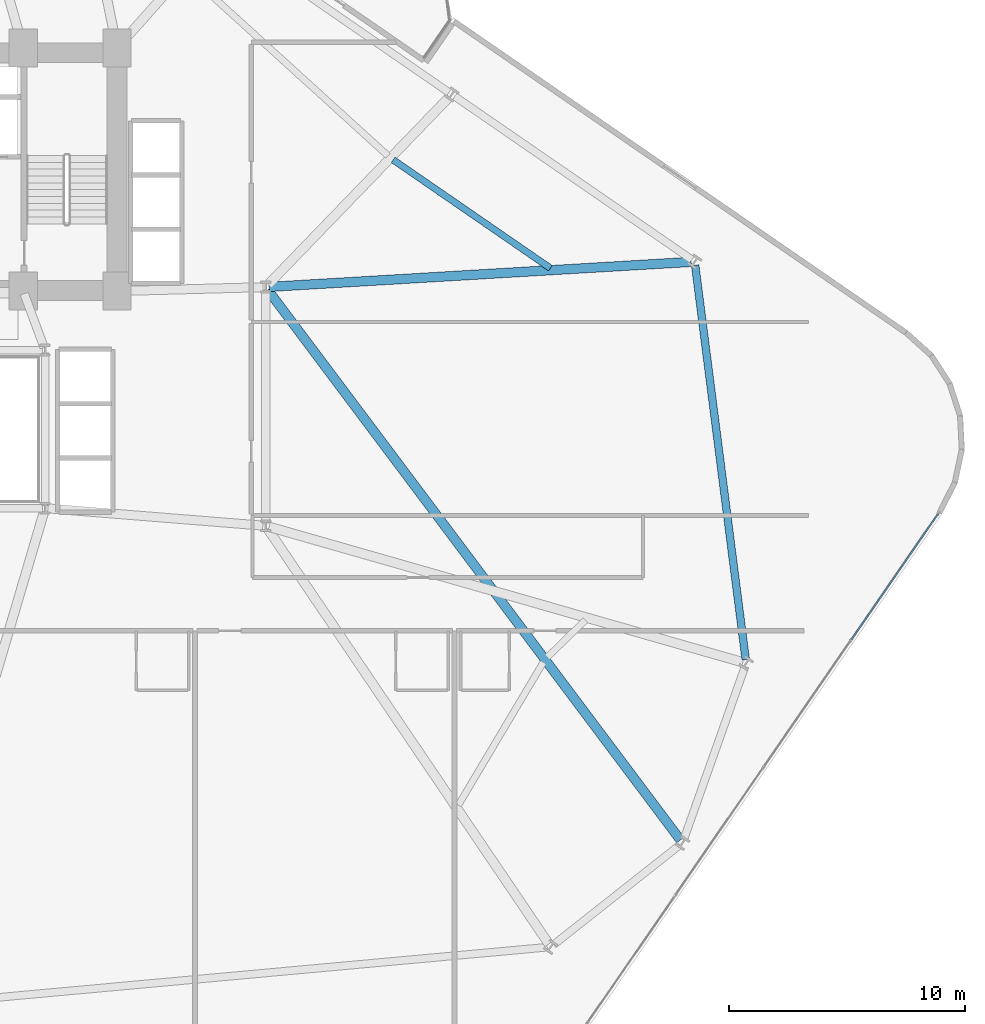
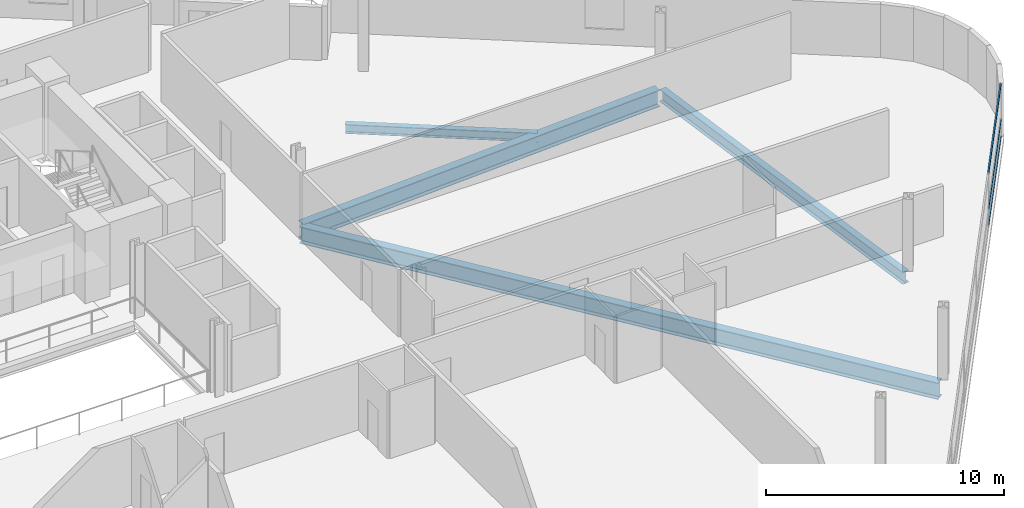
# One storey, part 12 of 26: 4 beams, 3 members, 1 element without a shape of its own.
"""IFC4 building model written with IfcOpenShell, lengths in metres."""

import ifcopenshell
import ifcopenshell.guid

model = None  # the IFC model being written
_history = None  # IfcOwnerHistory: only IFC2X3 demands one
_inside = {}  # id of a spatial element -> (the spatial element, [elements in it])
_under = {}  # id of a project, library or spatial element -> (it, [spatial elements below it])
_declared = {}  # id of a project -> (the project, [libraries it declares])
_typed = {}  # id of a type object -> (the type object, [elements of that type])
_made_of = {}  # id of a material, layer set ... -> (it, [elements and type objects made of it])


def new_model(schema):
    """Start an empty IFC model of exactly this schema.

    Asked for "IFC4X3", IfcOpenShell would pick the latest addendum, in which some entities
    have other attributes; the version numbers below select the first issue.
    IFC2X3 requires an IfcOwnerHistory on every rooted entity: one is made here for all.
    """
    global model, _history
    if schema == "IFC4X3":
        model = ifcopenshell.file(schema_version=(4, 3, 0, 0))
    else:
        model = ifcopenshell.file(schema=schema)
    _inside.clear()
    _under.clear()
    _declared.clear()
    _typed.clear()
    _made_of.clear()
    _history = None
    if model.schema == "IFC2X3":
        org = make("IfcOrganization", Name="unknown")
        user = make(
            "IfcPersonAndOrganization",
            ThePerson=make("IfcPerson", FamilyName="unknown"),
            TheOrganization=org,
        )
        app = make(
            "IfcApplication",
            ApplicationDeveloper=org,
            Version="unknown",
            ApplicationFullName="unknown",
            ApplicationIdentifier="unknown",
        )
        _history = make(
            "IfcOwnerHistory",
            OwningUser=user,
            OwningApplication=app,
            ChangeAction="ADDED",
            CreationDate=0,
        )
    return model


def make(cls, **values):
    """One entity of the class cls with the attributes given. An attribute that is None is left unset."""
    return model.create_entity(
        cls, **{name: value for name, value in values.items() if value is not None}
    )


def rooted(cls, **values):
    """An entity with a GlobalId (a new one), such as an element, a storey or a relation."""
    return make(cls, GlobalId=ifcopenshell.guid.new(), OwnerHistory=_history, **values)


def si_unit(unit_type, name, prefix=None):
    """IfcSIUnit, for example si_unit("LENGTHUNIT", "METRE", prefix="MILLI")."""
    return make("IfcSIUnit", UnitType=unit_type, Prefix=prefix, Name=name)


def assignment(units):
    """IfcUnitAssignment: the units of a project."""
    return None if units is None else make("IfcUnitAssignment", Units=units)


def point(xyz):
    """IfcCartesianPoint."""
    return None if xyz is None else make("IfcCartesianPoint", Coordinates=xyz)


def direction(xyz):
    """IfcDirection."""
    return None if xyz is None else make("IfcDirection", DirectionRatios=xyz)


def frame(location, z_axis=None, x_axis=None):
    """IfcAxis2Placement3D, a coordinate frame: its origin and axes. An axis left out is left unset."""
    return make(
        "IfcAxis2Placement3D",
        Location=point(location),
        Axis=direction(z_axis),
        RefDirection=direction(x_axis),
    )


def frame_2d(location, x_axis=None):
    """IfcAxis2Placement2D, a coordinate frame in the plane: its origin and x axis."""
    return make(
        "IfcAxis2Placement2D", Location=point(location), RefDirection=direction(x_axis)
    )


def origin():
    """The frame at (0, 0, 0) with its axes left unset."""
    return frame((0.0, 0.0, 0.0))


def origin_2d():
    """The frame at (0, 0) in the plane with its x axis left unset."""
    return frame_2d((0.0, 0.0))


def place(relative_to, where):
    """IfcLocalPlacement: puts the frame where relative to a parent placement (None: the world)."""
    return make(
        "IfcLocalPlacement", PlacementRelTo=relative_to, RelativePlacement=where
    )


def context(
    kind, dimensions, precision=None, world=None, true_north=None, identifier=None
):
    """IfcGeometricRepresentationContext, for example the 3D "Model" context."""
    return make(
        "IfcGeometricRepresentationContext",
        ContextIdentifier=identifier,
        ContextType=kind,
        CoordinateSpaceDimension=dimensions,
        Precision=precision,
        WorldCoordinateSystem=world,
        TrueNorth=true_north,
    )


def subcontext(parent, identifier, kind, view, scale=None):
    """IfcGeometricRepresentationSubContext, for example "Body" below "Model"."""
    return make(
        "IfcGeometricRepresentationSubContext",
        ContextIdentifier=identifier,
        ContextType=kind,
        ParentContext=parent,
        TargetScale=scale,
        TargetView=view,
    )


def project(units=None, contexts=None):
    """IfcProject with its units and contexts."""
    return rooted(
        "IfcProject",
        Name="project",
        RepresentationContexts=contexts,
        UnitsInContext=assignment(units),
    )


def spatial(cls, under=None, at=None, **own):
    """A site, building, storey or space (cls), placed at a placement, below another one or the project."""
    s = rooted(cls, ObjectPlacement=at, **own)
    if under is not None:
        _under.setdefault(under.id(), (under, []))[1].append(s)
    return s


def profile(cls, at=None, kind="AREA", **sizes):
    """A parametric profile (cls). Its sizes go by their IFC names, for example OverallWidth=200.0."""
    return make(cls, ProfileType=kind, Position=at, **sizes)


def hollow_rectangle(**sizes):
    """IfcRectangleHollowProfileDef."""
    return profile("IfcRectangleHollowProfileDef", **sizes)


def i_section(**sizes):
    """IfcIShapeProfileDef."""
    return profile("IfcIShapeProfileDef", **sizes)


def extrude(swept, where, along, depth):
    """IfcExtrudedAreaSolid: the profile swept, set in the frame where, extruded along a direction by depth."""
    return make(
        "IfcExtrudedAreaSolid",
        SweptArea=swept,
        Position=where,
        ExtrudedDirection=direction(along),
        Depth=depth,
    )


def shape(context_of_items, identifier, shape_type, items):
    """IfcShapeRepresentation: the items that make up one representation, for example the "Body"."""
    return make(
        "IfcShapeRepresentation",
        ContextOfItems=context_of_items,
        RepresentationIdentifier=identifier,
        RepresentationType=shape_type,
        Items=items,
    )


def material(Name=None, Category=None):
    """IfcMaterial."""
    return make("IfcMaterial", Name=Name, Category=Category)


def layer(
    of_material, thickness, ventilated=None, Name=None, Category=None, Priority=None
):
    """IfcMaterialLayer: one layer of a wall or slab, of a material (None: an air gap)."""
    return make(
        "IfcMaterialLayer",
        Material=of_material,
        LayerThickness=thickness,
        IsVentilated=ventilated,
        Name=Name,
        Category=Category,
        Priority=Priority,
    )


def layer_set(layers, Name=None):
    """IfcMaterialLayerSet."""
    return make("IfcMaterialLayerSet", MaterialLayers=layers, LayerSetName=Name)


def material_profile(
    of_material, cross_section, Name=None, Category=None, Priority=None
):
    """IfcMaterialProfile: a cross section and its material."""
    return make(
        "IfcMaterialProfile",
        Name=Name,
        Material=of_material,
        Profile=cross_section,
        Priority=Priority,
        Category=Category,
    )


def profile_set(profiles, Name=None, composite=None):
    """IfcMaterialProfileSet."""
    return make(
        "IfcMaterialProfileSet",
        Name=Name,
        MaterialProfiles=profiles,
        CompositeProfile=composite,
    )


def made_of(thing, what):
    """Note that an element or type object is made of a material, layer set ...; save() writes the relation."""
    if what is not None:
        _made_of.setdefault(what.id(), (what, []))[1].append(thing)
    return thing


def type_object(cls, material=None, **own):
    """A type object (cls), such as IfcWallType, which elements share."""
    return made_of(rooted(cls, **own), material)


def element(
    cls,
    number,
    at=None,
    inside=None,
    cuts=None,
    type_object=None,
    material=None,
    context=None,
    identifier="Body",
    shape_type=None,
    held_by="IfcProductDefinitionShape",
    body=None,
    shapes=None,
    **own,
):
    """One element of the class cls, such as IfcWall. Its Tag is "e" and its number.

    at: its placement. inside: the storey or other place that contains it. cuts: it is an
    opening in that element (IfcRelVoidsElement). A single representation is given by context,
    identifier, shape_type and body (its items); several are given by shapes. held_by: the class
    of the entity that holds the representations. save() writes the other relations.
    """
    e = rooted(cls, Tag="e%d" % number, ObjectPlacement=at, **own)
    if body is not None:
        shapes = [shape(context, identifier, shape_type, body)]
    if shapes is not None:
        e.Representation = make(held_by, Representations=shapes)
    if inside is not None:
        _inside.setdefault(inside.id(), (inside, []))[1].append(e)
    if cuts is not None:
        rooted(
            "IfcRelVoidsElement", RelatingBuildingElement=cuts, RelatedOpeningElement=e
        )
    if type_object is not None:
        _typed.setdefault(type_object.id(), (type_object, []))[1].append(e)
    return made_of(e, material)


def aggregate(whole, parts):
    """IfcRelAggregates: a whole, such as a stair, and the parts it consists of."""
    return rooted("IfcRelAggregates", RelatingObject=whole, RelatedObjects=parts)


def save(model, path):
    """Write the relations noted so far, then the file.

    IfcRelAggregates (storeys below a building ...), IfcRelContainedInSpatialStructure (elements
    in a storey), IfcRelDefinesByType, IfcRelAssociatesMaterial and IfcRelDeclares: one each for
    every whole, place, type object, material and project.
    """
    for whole, parts in _under.values():
        aggregate(whole, parts)
    for where, things in _inside.values():
        rooted(
            "IfcRelContainedInSpatialStructure",
            RelatedElements=things,
            RelatingStructure=where,
        )
    for kind, things in _typed.values():
        rooted("IfcRelDefinesByType", RelatedObjects=things, RelatingType=kind)
    for what, things in _made_of.values():
        rooted("IfcRelAssociatesMaterial", RelatedObjects=things, RelatingMaterial=what)
    for by, libraries in _declared.values():
        rooted("IfcRelDeclares", RelatingContext=by, RelatedDefinitions=libraries)
    model.write(path)


model = new_model("IFC4")

# Units and contexts
model_context = context("Model", 3, precision=1e-05, world=origin(), true_north=direction((0.0, 1.0)))
body_context = subcontext(model_context, "Body", "Model", "MODEL_VIEW")
ifc_project = project(units=[si_unit("LENGTHUNIT", "METRE"), si_unit("AREAUNIT", "SQUARE_METRE"), si_unit("VOLUMEUNIT", "CUBIC_METRE"), si_unit("PLANEANGLEUNIT", "RADIAN"), si_unit("MASSUNIT", "GRAM", prefix="KILO")], contexts=[model_context])

# Site, building, storey
site_placement = place(None, origin())
site = spatial("IfcSite", under=ifc_project, at=site_placement, CompositionType="ELEMENT")
building_placement = place(site_placement, origin())
building = spatial("IfcBuilding", under=site, at=building_placement, Name="Varnelok Gate Tower", CompositionType="ELEMENT")
storey_placement = place(building_placement, frame((0.0, 0.0, 45.5)))
storey = spatial("IfcBuildingStorey", under=building, at=storey_placement, Name="L10", CompositionType="ELEMENT", Elevation=45.5)

# Beams
ifc_material_1 = material(Name="Structural Steel ASTM A992 Grade 50", Category="steel")
ifc_material_profile_1 = material_profile(ifc_material_1, i_section(OverallWidth=0.280029296875, OverallDepth=0.462890625, WebThickness=0.0107421875, FlangeThickness=0.017333984375, FilletRadius=0.014892578125, at=origin_2d()), Name="W18X76")
ifc_profile_set_1 = profile_set([ifc_material_profile_1], Name="Structural Steel ASTM A992 Grade 50")
beam_type_1 = type_object("IfcBeamType", Name="BM-JST-W18X76", PredefinedType="JOIST", material=ifc_profile_set_1)
beam_1_placement = place(storey_placement, frame((66.069091796875, 29.72119140625, -0.4814453125), z_axis=(-0.823532961972, 0.567268420191, 0.0), x_axis=(-0.567268420191, -0.823532961972, 0.0)))
element("IfcBeam", 1, at=beam_1_placement, inside=storey, type_object=beam_type_1, Name="L10 Sector Floor Joist 7", PredefinedType="JOIST", context=body_context, shape_type="SweptSolid", body=[
    extrude(i_section(OverallWidth=0.280029296875, OverallDepth=0.462890625, WebThickness=0.0107421875, FlangeThickness=0.017333984375, FilletRadius=0.014892578125, at=origin_2d()), origin(), (0.0, 0.0, 1.0), 8.094970703125),
])
ifc_material_profile_2 = material_profile(ifc_material_1, i_section(OverallWidth=0.39892578125, OverallDepth=0.85498046875, WebThickness=0.018310546875, FlangeThickness=0.029296875, FilletRadius=0.02392578125, at=origin_2d()), Name="W33X201")
ifc_profile_set_2 = profile_set([ifc_material_profile_2], Name="Structural Steel ASTM A992 Grade 50")
beam_type_2 = type_object("IfcBeamType", Name="BM-PRI-W33X201", PredefinedType="BEAM", material=ifc_profile_set_2)
beam_2_placement = place(storey_placement, frame((54.090087890625, 28.800048828125, -0.677490234375), z_axis=(0.600038863323, -0.799970851033, 0.0), x_axis=(0.799970851033, 0.600038863323, 0.0)))
element("IfcBeam", 2, at=beam_2_placement, inside=storey, type_object=beam_type_2, Name="L10 Radial Floor Girder 7", PredefinedType="BEAM", context=body_context, shape_type="SweptSolid", body=[
    extrude(i_section(OverallWidth=0.39892578125, OverallDepth=0.85498046875, WebThickness=0.018310546875, FlangeThickness=0.029296875, FilletRadius=0.02392578125, at=origin_2d()), origin(), (0.0, 0.0, 1.0), 29.148193359375),
])
beam_3_placement = place(storey_placement, frame((54.149658203125, 28.928955078125, -0.677490234375), z_axis=(0.998250753284, 0.059122191839, 0.0), x_axis=(-0.059122191839, 0.998250753284, 0.0)))
element("IfcBeam", 3, at=beam_3_placement, inside=storey, type_object=beam_type_2, Name="L10 Radial Floor Girder 9", PredefinedType="BEAM", context=body_context, shape_type="SweptSolid", body=[
    extrude(i_section(OverallWidth=0.39892578125, OverallDepth=0.85498046875, WebThickness=0.018310546875, FlangeThickness=0.029296875, FilletRadius=0.02392578125, at=origin_2d()), origin(), (0.0, 0.0, 1.0), 17.91748046875),
])
ifc_material_profile_3 = material_profile(ifc_material_1, i_section(OverallWidth=0.323974609375, OverallDepth=0.611083984375, WebThickness=0.0126953125, FlangeThickness=0.01904296875, FilletRadius=0.01806640625, at=origin_2d()), Name="W24X104")
ifc_profile_set_3 = profile_set([ifc_material_profile_3], Name="Structural Steel ASTM A992 Grade 50")
beam_type_3 = type_object("IfcBeamType", Name="BM-SPN-W24X104", PredefinedType="SPANDREL", material=ifc_profile_set_3)
beam_4_placement = place(storey_placement, frame((74.347900390625, 13.125, -0.555419921875), z_axis=(-0.127122673264, 0.991887002608, 0.0), x_axis=(-0.991887002608, -0.127122673264, 0.0)))
element("IfcBeam", 4, at=beam_4_placement, inside=storey, type_object=beam_type_3, Name="L10 Perimeter Spandrel Beam 8", PredefinedType="SPANDREL", context=body_context, shape_type="SweptSolid", body=[
    extrude(i_section(OverallWidth=0.323974609375, OverallDepth=0.611083984375, WebThickness=0.0126953125, FlangeThickness=0.01904296875, FilletRadius=0.01806640625, at=origin_2d()), origin(), (0.0, 0.0, 1.0), 16.860107421875),
])

# Curtain wall, members
ifc_material_2 = material(Name="Anodized Aluminum Alloy 6063-T6", Category="aluminium")
ifc_layer = layer(ifc_material_2, 0.179931640625)
ifc_layer_set = layer_set([ifc_layer], Name="Anodized Aluminum Alloy 6063-T6")
curtain_wall_type = type_object("IfcCurtainWallType", Name="CW3-HOTEL-VISION", PredefinedType="USERDEFINED", material=ifc_layer_set)
curtain_wall_placement = place(storey_placement, origin())
curtain_wall = element("IfcCurtainWall", 5, at=curtain_wall_placement, inside=storey, type_object=curtain_wall_type, Name="L10 East End Vision Curtain Wall", ObjectType="UNITISED CURTAIN WALL", PredefinedType="USERDEFINED")
ifc_material_profile_4 = material_profile(ifc_material_2, hollow_rectangle(XDim=0.06494140625, YDim=0.159912109375, WallThickness=0.00390625, at=origin_2d()), Name="ALU160X65X4")
ifc_profile_set_4 = profile_set([ifc_material_profile_4], Name="Anodized Aluminum Alloy 6063-T6")
member_type = type_object("IfcMemberType", Name="CW-TRAN-160", PredefinedType="USERDEFINED", material=ifc_profile_set_4)
member_1_placement = place(storey_placement, frame((82.505615234375, 19.3125, 0.032470703125), z_axis=(-0.567298980035, -0.823511910813, 0.0), x_axis=(0.823511910813, -0.567298980035, 0.0)))
member_1 = element("IfcMember", 6, at=member_1_placement, type_object=member_type, Name="CW3 transom 1.1", ObjectType="TRANSOM", PredefinedType="USERDEFINED", context=body_context, shape_type="SweptSolid", body=[
    extrude(hollow_rectangle(XDim=0.06494140625, YDim=0.159912109375, WallThickness=0.00390625, at=origin_2d()), origin(), (0.0, 0.0, 1.0), 6.468994140625),
])
member_2_placement = place(storey_placement, frame((82.505615234375, 19.3125, 0.89990234375), z_axis=(-0.567298980035, -0.823511910813, 0.0), x_axis=(0.823511910813, -0.567298980035, 0.0)))
member_2 = element("IfcMember", 7, at=member_2_placement, type_object=member_type, Name="CW3 transom 1.2", ObjectType="TRANSOM", PredefinedType="USERDEFINED", context=body_context, shape_type="SweptSolid", body=[
    extrude(hollow_rectangle(XDim=0.06494140625, YDim=0.159912109375, WallThickness=0.00390625, at=origin_2d()), origin(), (0.0, 0.0, 1.0), 6.468994140625),
])
member_3_placement = place(storey_placement, frame((82.505615234375, 19.3125, 2.697509765625), z_axis=(-0.567298980035, -0.823511910813, 0.0), x_axis=(0.823511910813, -0.567298980035, 0.0)))
member_3 = element("IfcMember", 8, at=member_3_placement, type_object=member_type, Name="CW3 transom 1.3", ObjectType="TRANSOM", PredefinedType="USERDEFINED", context=body_context, shape_type="SweptSolid", body=[
    extrude(hollow_rectangle(XDim=0.06494140625, YDim=0.159912109375, WallThickness=0.00390625, at=origin_2d()), origin(), (0.0, 0.0, 1.0), 6.468994140625),
])
aggregate(curtain_wall, [member_1, member_2, member_3])

save(model, "model.ifc")
